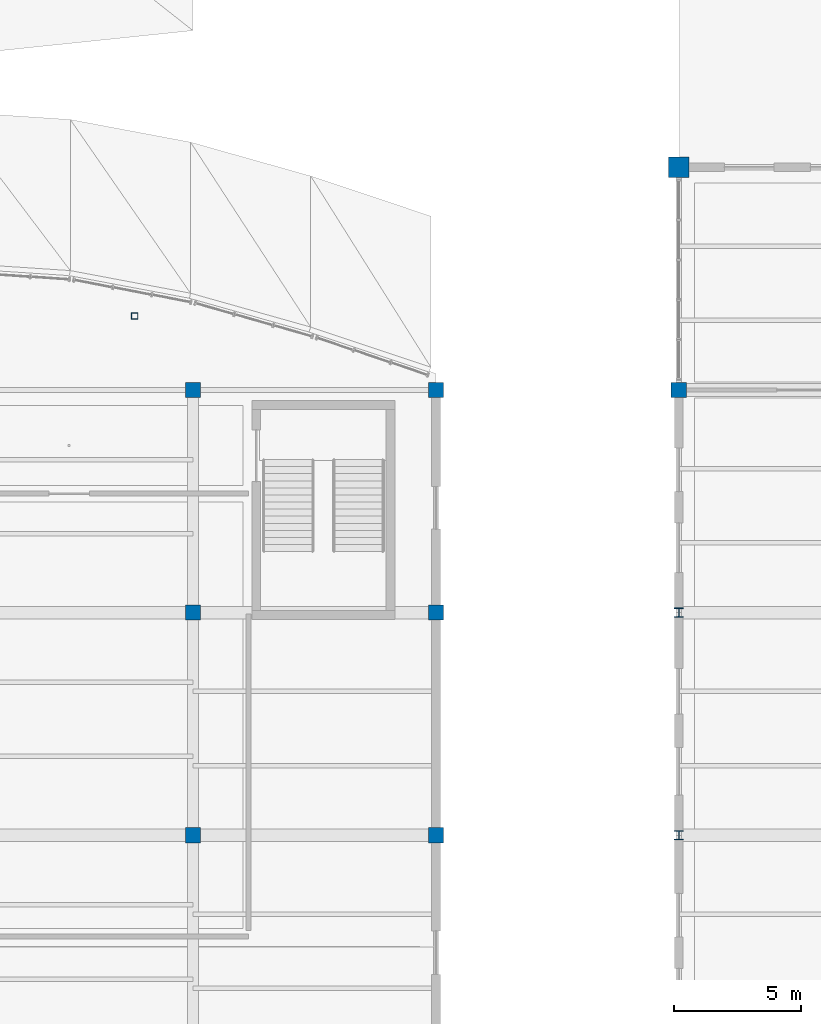
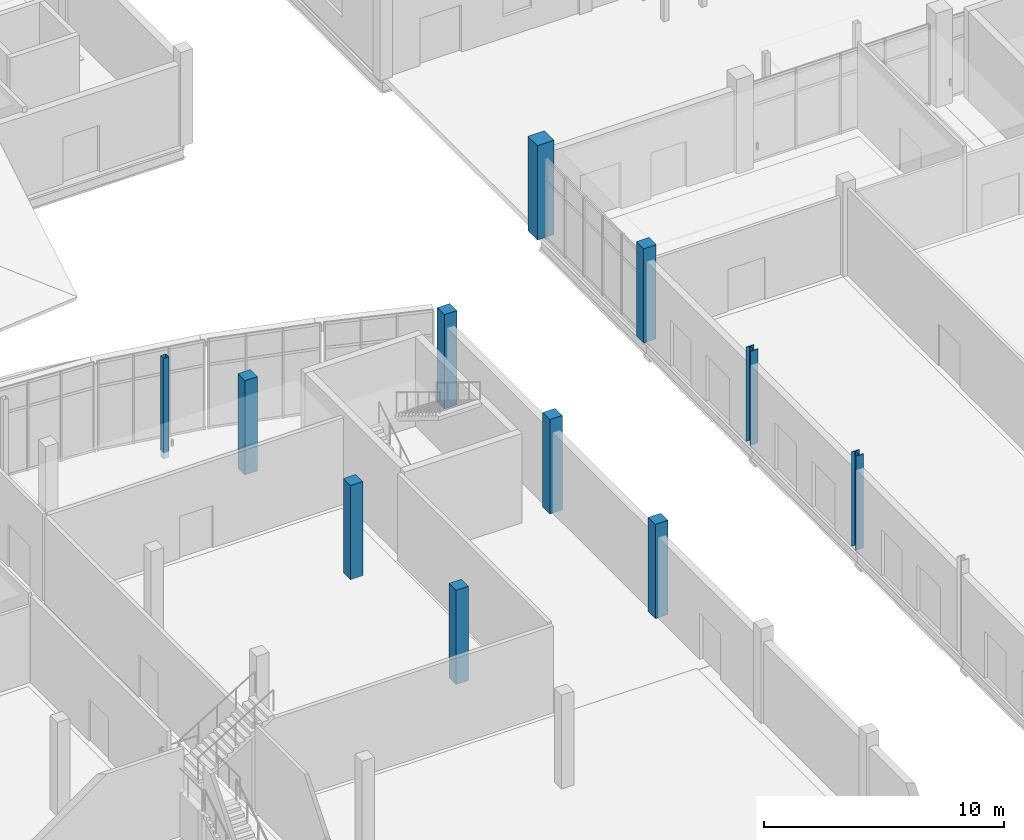
# One storey, part 4 of 116: 11 columns.
"""IFC4 building model written with IfcOpenShell, lengths in metres."""

from ifc_helpers import new_model, si_unit, direction, frame, origin, origin_2d, place, context, subcontext, project, spatial, rectangle, hollow_rectangle, i_section, extrude, material, material_profile, profile_set, type_object, element, save


model = new_model("IFC4")

# Units and contexts
model_context = context("Model", 3, precision=1e-05, world=origin(), true_north=direction((0.0, 1.0)))
body_context = subcontext(model_context, "Body", "Model", "MODEL_VIEW")
ifc_project = project(units=[si_unit("LENGTHUNIT", "METRE"), si_unit("AREAUNIT", "SQUARE_METRE"), si_unit("VOLUMEUNIT", "CUBIC_METRE"), si_unit("PLANEANGLEUNIT", "RADIAN"), si_unit("MASSUNIT", "GRAM", prefix="KILO")], contexts=[model_context])

# Site, building, storey
site_placement = place(None, origin())
site = spatial("IfcSite", under=ifc_project, at=site_placement, CompositionType="ELEMENT")
building_placement = place(site_placement, origin())
building = spatial("IfcBuilding", under=site, at=building_placement, Name="Chalmorin Arch Market", CompositionType="ELEMENT")
storey_placement = place(building_placement, origin())
storey = spatial("IfcBuildingStorey", under=building, at=storey_placement, Name="L00", CompositionType="ELEMENT", Elevation=0.0)

# Columns
ifc_material_1 = material(Name="Concrete C50/60", Category="concrete")
ifc_material_profile_1 = material_profile(ifc_material_1, rectangle(XDim=0.800048828125, YDim=0.800048828125, at=origin_2d()), Name="RC800X800")
ifc_profile_set_1 = profile_set([ifc_material_profile_1], Name="Concrete C50/60")
column_type_1 = type_object("IfcColumnType", Name="ArchPierColumn-800x800", PredefinedType="COLUMN", material=ifc_profile_set_1)
column_1_placement = place(storey_placement, frame((48.0, 58.800048828125, 0.0), z_axis=(0.0, 0.0, 1.0), x_axis=(1.0, 0.0, 0.0)))
element("IfcColumn", 1, at=column_1_placement, inside=storey, type_object=column_type_1, Name="C-AP1-221", PredefinedType="COLUMN", context=body_context, shape_type="SweptSolid", body=[
    extrude(rectangle(XDim=0.800048828125, YDim=0.800048828125, at=origin_2d()), origin(), (0.0, 0.0, 1.0), 4.800048828125),
])
ifc_material_2 = material(Name="Concrete C40/50", Category="concrete")
ifc_material_profile_2 = material_profile(ifc_material_2, rectangle(XDim=0.60009765625, YDim=0.60009765625, at=origin_2d()), Name="RC600X600")
ifc_profile_set_2 = profile_set([ifc_material_profile_2], Name="Concrete C40/50")
column_type_2 = type_object("IfcColumnType", Name="InteriorConcreteColumn-600x600", PredefinedType="COLUMN", material=ifc_profile_set_2)
for number, where, z_axis, x_axis, name in (
    (2, (28.800048828125, 32.39990234375, 0.0), (0.0, 0.0, 1.0), (1.0, 0.0, 0.0), "C-RC2-128"),
    (3, (28.800048828125, 41.199951171875, 0.0), (0.0, 0.0, 1.0), (1.0, 0.0, 0.0), "C-RC2-132"),
    (4, (28.800048828125, 50.0, 0.0), (0.0, 0.0, 1.0), (1.0, 0.0, 0.0), "C-RC2-136"),
    (5, (38.39990234375, 32.39990234375, 0.0), (0.0, 0.0, 1.0), (1.0, 0.0, 0.0), "C-RC2-165"),
    (6, (38.39990234375, 41.199951171875, 0.0), (0.0, 0.0, 1.0), (1.0, 0.0, 0.0), "C-RC2-169"),
    (7, (38.39990234375, 50.0, 0.0), (0.0, 0.0, 1.0), (1.0, 0.0, 0.0), "C-RC2-173"),
    (8, (48.0, 50.0, 0.0), (0.0, 0.0, 1.0), (1.0, 0.0, 0.0), "C-RC2-216"),
):
    element("IfcColumn", number, at=place(storey_placement, frame(where, z_axis=z_axis, x_axis=x_axis)), inside=storey, type_object=column_type_2, Name=name, PredefinedType="COLUMN", context=body_context, shape_type="SweptSolid", body=[
        extrude(rectangle(XDim=0.60009765625, YDim=0.60009765625, at=origin_2d()), origin(), (0.0, 0.0, 1.0), 4.800048828125),
    ])
ifc_material_3 = material(Name="Steel A500 Grade C", Category="steel")
ifc_material_profile_3 = material_profile(ifc_material_3, hollow_rectangle(XDim=0.25390625, YDim=0.25390625, WallThickness=0.01171875, at=origin_2d()), Name="HSS10X10X1/2")
ifc_profile_set_3 = profile_set([ifc_material_profile_3], Name="Steel A500 Grade C")
column_type_3 = type_object("IfcColumnType", Name="SteelTubeColumn-HSS10X10", PredefinedType="COLUMN", material=ifc_profile_set_3)
column_2_placement = place(storey_placement, frame((26.49609375, 52.924072265625, -0.320068359375), z_axis=(0.0, 0.0, 1.0), x_axis=(1.0, 0.0, 0.0)))
element("IfcColumn", 9, at=column_2_placement, inside=storey, type_object=column_type_3, Name="C-HS2-701", PredefinedType="COLUMN", context=body_context, shape_type="SweptSolid", body=[
    extrude(hollow_rectangle(XDim=0.25390625, YDim=0.25390625, WallThickness=0.01171875, at=origin_2d()), origin(), (0.0, 0.0, 1.0), 5.1201171875),
])
ifc_material_4 = material(Name="Steel A992 Grade 50", Category="steel")
ifc_material_profile_4 = material_profile(ifc_material_4, i_section(OverallWidth=0.367919921875, OverallDepth=0.367919921875, WebThickness=0.014892578125, FlangeThickness=0.02392578125, FilletRadius=0.02490234375, at=origin_2d()), Name="W14X120")
ifc_profile_set_4 = profile_set([ifc_material_profile_4], Name="Steel A992 Grade 50")
column_type_4 = type_object("IfcColumnType", Name="WideFlangeColumn-W14X120", PredefinedType="COLUMN", material=ifc_profile_set_4)
for number, where, z_axis, x_axis, name in (
    (10, (48.0, 32.39990234375, 0.0), (0.0, 0.0, 1.0), (1.0, 0.0, 0.0), "C-ST1-206"),
    (11, (48.0, 41.199951171875, 0.0), (0.0, 0.0, 1.0), (1.0, 0.0, 0.0), "C-ST1-211"),
):
    element("IfcColumn", number, at=place(storey_placement, frame(where, z_axis=z_axis, x_axis=x_axis)), inside=storey, type_object=column_type_4, Name=name, PredefinedType="COLUMN", context=body_context, shape_type="SweptSolid", body=[
        extrude(i_section(OverallWidth=0.367919921875, OverallDepth=0.367919921875, WebThickness=0.014892578125, FlangeThickness=0.02392578125, FilletRadius=0.02490234375, at=origin_2d()), origin(), (0.0, 0.0, 1.0), 4.800048828125),
    ])

save(model, "model.ifc")
